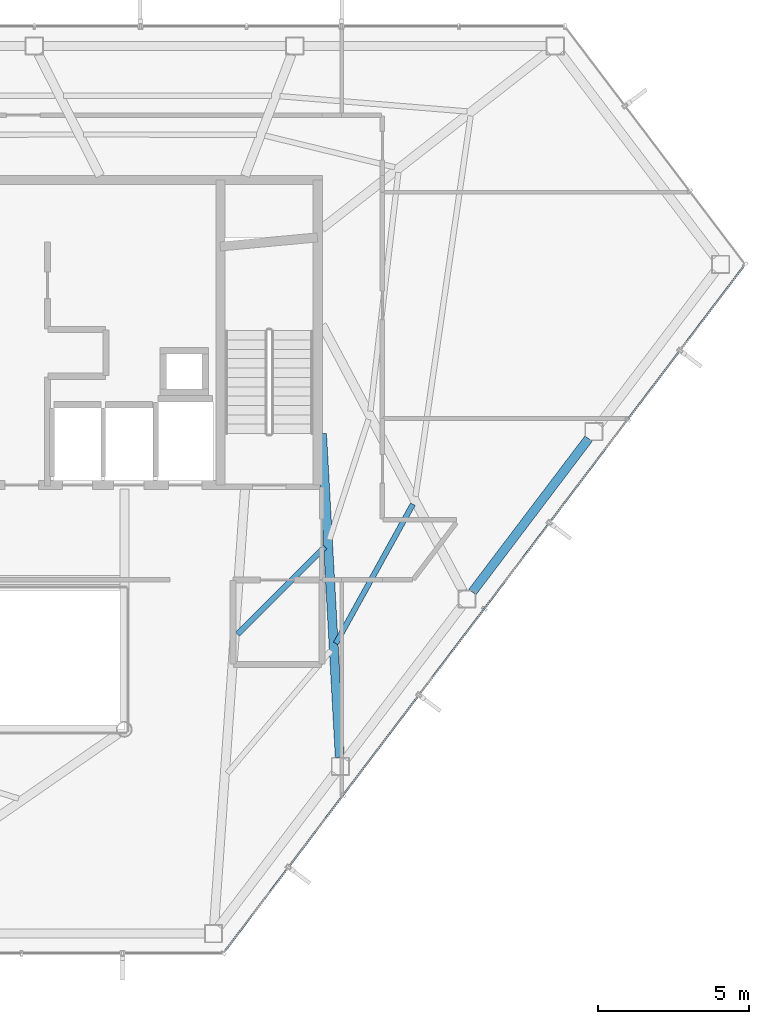
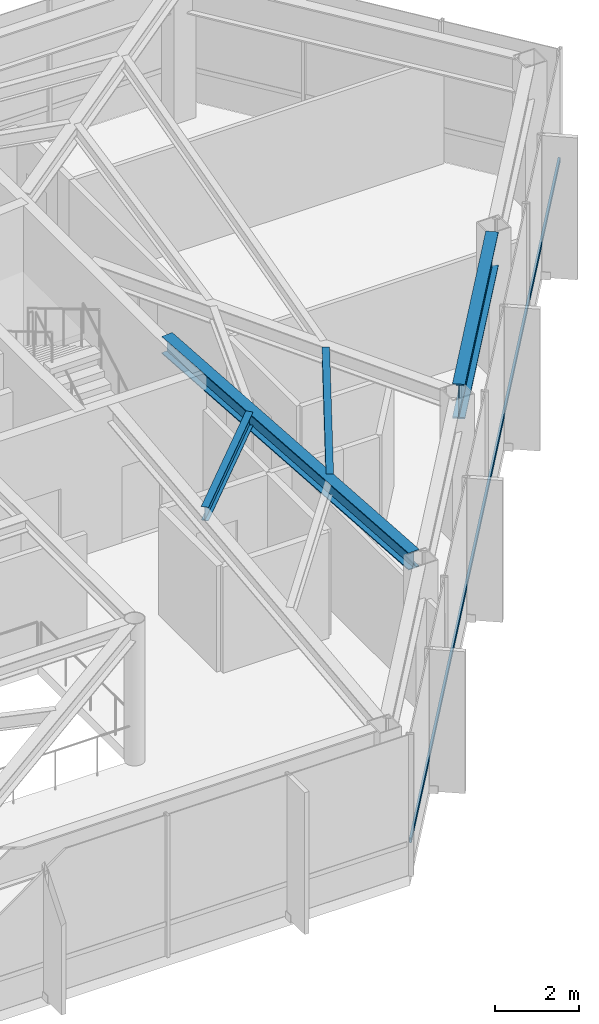
# One storey, part 13 of 23: 4 beams, 1 member, 1 element without a shape of its own.
"""IFC4 building model written with IfcOpenShell, lengths in metres."""

from ifc_helpers import new_model, si_unit, direction, frame, origin, origin_2d, place, context, subcontext, project, spatial, hollow_rectangle, i_section, extrude, material, layer, layer_set, material_profile, profile_set, type_object, element, aggregate, save


model = new_model("IFC4")

# Units and contexts
model_context = context("Model", 3, precision=1e-05, world=origin(), true_north=direction((0.0, 1.0)))
body_context = subcontext(model_context, "Body", "Model", "MODEL_VIEW")
ifc_project = project(units=[si_unit("LENGTHUNIT", "METRE"), si_unit("AREAUNIT", "SQUARE_METRE"), si_unit("VOLUMEUNIT", "CUBIC_METRE"), si_unit("PLANEANGLEUNIT", "RADIAN"), si_unit("MASSUNIT", "GRAM", prefix="KILO")], contexts=[model_context])

# Site, building, storey
site_placement = place(None, origin())
site = spatial("IfcSite", under=ifc_project, at=site_placement, CompositionType="ELEMENT")
building_placement = place(site_placement, origin())
building = spatial("IfcBuilding", under=site, at=building_placement, Name="Zarrinselat Tower", CompositionType="ELEMENT")
storey_placement = place(building_placement, frame((0.0, 0.0, 199.919921875)))
storey = spatial("IfcBuildingStorey", under=building, at=storey_placement, Name="L49", CompositionType="ELEMENT", Elevation=199.919921875)

# Beams
ifc_material_1 = material(Name="Steel S355J2", Category="steel")
ifc_material_profile_1 = material_profile(ifc_material_1, i_section(OverallWidth=0.300048828125, OverallDepth=0.5, WebThickness=0.014404296875, FlangeThickness=0.028076171875, at=origin_2d()), Name="HEB 500")
ifc_profile_set_1 = profile_set([ifc_material_profile_1], Name="Steel S355J2")
beam_type_1 = type_object("IfcBeamType", Name="BM-HEB500", PredefinedType="BEAM", material=ifc_profile_set_1)
beam_1_placement = place(storey_placement, frame((48.35009765625, 35.0, 3.8701171875), z_axis=(0.055034397494, -0.998484459114, 0.0), x_axis=(0.998484459114, 0.055034397494, 0.0)))
element("IfcBeam", 1, at=beam_1_placement, inside=storey, type_object=beam_type_1, Name="L49 Radial Primary Girder RG12", PredefinedType="BEAM", context=body_context, shape_type="SweptSolid", body=[
    extrude(i_section(OverallWidth=0.300048828125, OverallDepth=0.5, WebThickness=0.014404296875, FlangeThickness=0.028076171875, at=origin_2d()), origin(), (0.0, 0.0, 1.0), 10.739990234375),
])
ifc_material_2 = material(Name="Steel S460M", Category="steel")
ifc_material_profile_2 = material_profile(ifc_material_2, i_section(OverallWidth=0.302001953125, OverallDepth=1.008056640625, WebThickness=0.02099609375, FlangeThickness=0.0400390625, at=origin_2d()), Name="HEM 1000")
ifc_profile_set_2 = profile_set([ifc_material_profile_2], Name="Steel S460M")
beam_type_2 = type_object("IfcBeamType", Name="BM-HEM1000", PredefinedType="BEAM", material=ifc_profile_set_2)
beam_2_placement = place(storey_placement, frame((53.331787109375, 29.74853515625, 3.615966796875), z_axis=(0.603862845729, 0.797088240754, 0.0), x_axis=(-0.797088240754, 0.603862845729, 0.0)))
element("IfcBeam", 2, at=beam_2_placement, inside=storey, type_object=beam_type_2, Name="L49 Perimeter Spandrel Girder SP13", PredefinedType="BEAM", context=body_context, shape_type="SweptSolid", body=[
    extrude(i_section(OverallWidth=0.302001953125, OverallDepth=1.008056640625, WebThickness=0.02099609375, FlangeThickness=0.0400390625, at=origin_2d()), origin(), (0.0, 0.0, 1.0), 6.37939453125),
])
ifc_material_3 = material(Name="Steel S355J2", Category="steel")
ifc_material_profile_3 = material_profile(ifc_material_3, i_section(OverallWidth=0.179931640625, OverallDepth=0.39990234375, WebThickness=0.008544921875, FlangeThickness=0.013427734375, at=origin_2d()), Name="IPE 400")
ifc_profile_set_3 = profile_set([ifc_material_profile_3], Name="Steel S355J2")
beam_type_3 = type_object("IfcBeamType", Name="BM-IPE400", PredefinedType="JOIST", material=ifc_profile_set_3)
beam_3_placement = place(storey_placement, frame((45.5517578125, 28.353515625, 3.920166015625), z_axis=(0.706957982391, 0.707255548677, 0.0), x_axis=(-0.707255548677, 0.706957982391, 0.0)))
element("IfcBeam", 3, at=beam_3_placement, inside=storey, type_object=beam_type_3, Name="L49 Composite Floor Joist 3-2", PredefinedType="JOIST", context=body_context, shape_type="SweptSolid", body=[
    extrude(i_section(OverallWidth=0.179931640625, OverallDepth=0.39990234375, WebThickness=0.008544921875, FlangeThickness=0.013427734375, at=origin_2d()), origin(), (0.0, 0.0, 1.0), 4.102294921875),
])
beam_4_placement = place(storey_placement, frame((48.807861328125, 28.044921875, 3.920166015625), z_axis=(0.484219720323, 0.874946434046, 0.0), x_axis=(-0.874946434046, 0.484219720323, 0.0)))
element("IfcBeam", 4, at=beam_4_placement, inside=storey, type_object=beam_type_3, Name="L49 Composite Floor Joist 4-1", PredefinedType="JOIST", context=body_context, shape_type="SweptSolid", body=[
    extrude(i_section(OverallWidth=0.179931640625, OverallDepth=0.39990234375, WebThickness=0.008544921875, FlangeThickness=0.013427734375, at=origin_2d()), origin(), (0.0, 0.0, 1.0), 5.27490234375),
])

# Curtain wall, member
ifc_material_4 = material(Name="Extruded Aluminium Alloy EN AW-6063 T6", Category="aluminium")
ifc_layer = layer(ifc_material_4, 0.195068359375)
ifc_layer_set = layer_set([ifc_layer], Name="Extruded Aluminium Alloy EN AW-6063 T6")
curtain_wall_type = type_object("IfcCurtainWallType", Name="CWS-GDN", PredefinedType="NOTDEFINED", material=ifc_layer_set)
curtain_wall_placement = place(storey_placement, origin())
curtain_wall = element("IfcCurtainWall", 5, at=curtain_wall_placement, inside=storey, type_object=curtain_wall_type, Name="L49 Unitised Curtain Wall CW-L49-E04", PredefinedType="NOTDEFINED")
ifc_material_5 = material(Name="Extruded Aluminium Alloy EN AW-6063 T6", Category="aluminium")
ifc_material_profile_4 = material_profile(ifc_material_5, hollow_rectangle(XDim=0.06005859375, YDim=0.139892578125, WallThickness=0.00390625, at=origin_2d()), Name="RHS 140x60x4")
ifc_profile_set_4 = profile_set([ifc_material_profile_4], Name="Extruded Aluminium Alloy EN AW-6063 T6")
member_type = type_object("IfcMemberType", Name="MEM-CW-TRN", PredefinedType="USERDEFINED", material=ifc_profile_set_4)
member_placement = place(storey_placement, frame((62.319091796875, 40.53564453125, 0.9501953125), z_axis=(-0.603851576464, -0.797096778065, 0.0), x_axis=(0.797096778065, -0.603851576464, 0.0)))
member = element("IfcMember", 6, at=member_placement, type_object=member_type, Name="CW-L49-E04 Transom 1", ObjectType="TRANSOM", PredefinedType="USERDEFINED", context=body_context, shape_type="SweptSolid", body=[
    extrude(hollow_rectangle(XDim=0.06005859375, YDim=0.139892578125, WallThickness=0.00390625, at=origin_2d()), origin(), (0.0, 0.0, 1.0), 28.45751953125),
])
aggregate(curtain_wall, [member])

save(model, "model.ifc")
